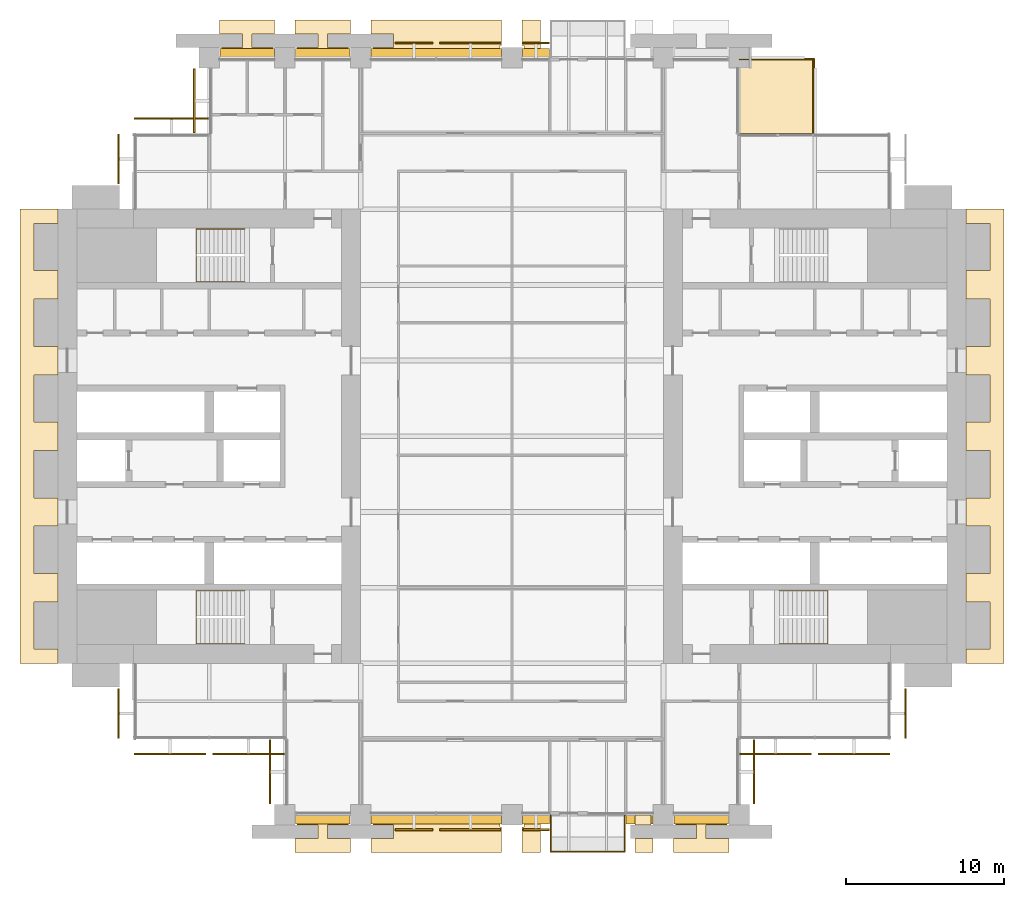
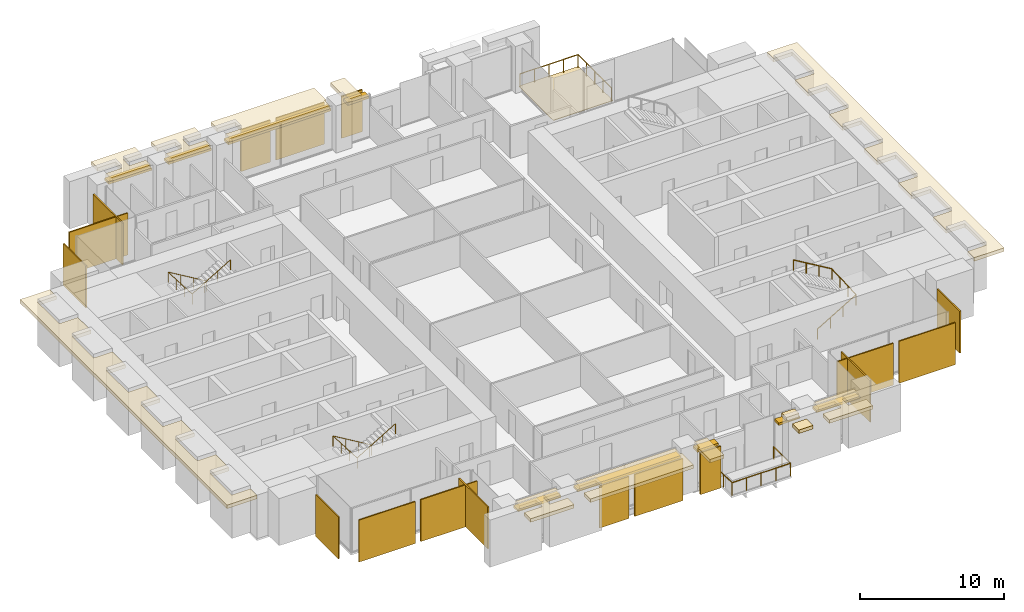
# One storey, part 14 of 15: 30 coverings, 9 shading devices, 5 railings.
"""IFC4 building model written with IfcOpenShell, lengths in metres."""

from ifc_helpers import new_model, si_unit, direction, frame, origin, origin_2d, place, context, subcontext, project, spatial, polyline, rectangle, circle, outline, extrude, material, layer, layer_set, type_object, element, save


model = new_model("IFC4")

# Units and contexts
model_context = context("Model", 3, precision=1e-05, world=origin(), true_north=direction((0.0, 1.0)))
body_context = subcontext(model_context, "Body", "Model", "MODEL_VIEW")
ifc_project = project(units=[si_unit("LENGTHUNIT", "METRE"), si_unit("AREAUNIT", "SQUARE_METRE"), si_unit("VOLUMEUNIT", "CUBIC_METRE"), si_unit("PLANEANGLEUNIT", "RADIAN"), si_unit("MASSUNIT", "GRAM", prefix="KILO")], contexts=[model_context])

# Site, building, storey
site_placement = place(None, origin())
site = spatial("IfcSite", under=ifc_project, at=site_placement, CompositionType="ELEMENT")
building_placement = place(site_placement, origin())
building = spatial("IfcBuilding", under=site, at=building_placement, Name="Baori Bourse Tower", CompositionType="ELEMENT")
storey_placement = place(building_placement, frame((0.0, 0.0, 83.0)))
storey = spatial("IfcBuildingStorey", under=building, at=storey_placement, Name="L18", CompositionType="ELEMENT", Elevation=83.0)

# Coverings
ifc_material_1 = material(Name="Pale anodised aluminium", Category="aluminium")
covering_type_1 = type_object("IfcCoveringType", Name="BD1 Pale metal band", PredefinedType="CLADDING", material=ifc_material_1)
covering_1_placement = place(storey_placement, frame((0.0, 0.0, 3.39990234375)))
element("IfcCovering", 1, at=covering_1_placement, inside=storey, type_object=covering_type_1, Name="Pale projecting band L18 1", PredefinedType="CLADDING", context=body_context, shape_type="SweptSolid", body=[
    extrude(outline(polyline([(57.60009765625, 10.5), (57.60009765625, 9.60009765625), (60.0, 9.60009765625), (60.0, 38.39990234375), (57.60009765625, 38.39990234375), (57.60009765625, 37.5), (59.10009765625, 37.5), (59.10009765625, 34.5), (57.60009765625, 34.5), (57.60009765625, 32.699951171875), (59.10009765625, 32.699951171875), (59.10009765625, 29.699951171875), (57.60009765625, 29.699951171875), (57.60009765625, 27.89990234375), (59.10009765625, 27.89990234375), (59.10009765625, 24.89990234375), (57.60009765625, 24.89990234375), (57.60009765625, 23.10009765625), (59.10009765625, 23.10009765625), (59.10009765625, 20.10009765625), (57.60009765625, 20.10009765625), (57.60009765625, 18.300048828125), (59.10009765625, 18.300048828125), (59.10009765625, 15.300048828125), (57.60009765625, 15.300048828125), (57.60009765625, 13.5), (59.10009765625, 13.5), (59.10009765625, 10.5), (57.60009765625, 10.5)])), origin(), (0.0, 0.0, 1.0), 0.300048828125),
])
covering_2_placement = place(storey_placement, frame((0.0, 0.0, 3.39990234375)))
element("IfcCovering", 2, at=covering_2_placement, inside=storey, type_object=covering_type_1, Name="Pale projecting band L18 5", PredefinedType="CLADDING", context=body_context, shape_type="SweptSolid", body=[
    extrude(outline(polyline([(29.570068359375, 48.0), (30.60009765625, 48.0), (30.60009765625, 50.39990234375), (29.449951171875, 50.39990234375), (29.449951171875, 48.77001953125), (29.570068359375, 48.77001953125), (29.570068359375, 48.0)])), origin(), (0.0, 0.0, 1.0), 0.300048828125),
])
covering_3_placement = place(storey_placement, frame((0.0, 0.0, 3.39990234375)))
element("IfcCovering", 3, at=covering_3_placement, inside=storey, type_object=covering_type_1, Name="Pale projecting band L18 6", PredefinedType="CLADDING", context=body_context, shape_type="SweptSolid", body=[
    extrude(outline(polyline([(19.969970703125, 48.0), (28.030029296875, 48.0), (28.030029296875, 48.77001953125), (28.14990234375, 48.77001953125), (28.14990234375, 50.39990234375), (19.85009765625, 50.39990234375), (19.85009765625, 49.5), (21.300048828125, 49.5), (21.300048828125, 48.64990234375), (19.969970703125, 48.64990234375), (19.969970703125, 48.0)])), origin(), (0.0, 0.0, 1.0), 0.300048828125),
])
covering_4_placement = place(storey_placement, frame((0.0, 0.0, 3.39990234375)))
element("IfcCovering", 4, at=covering_4_placement, inside=storey, type_object=covering_type_1, Name="Pale projecting band L18 7", PredefinedType="CLADDING", context=body_context, shape_type="SweptSolid", body=[
    extrude(outline(polyline([(15.169921875, 48.0), (18.429931640625, 48.0), (18.429931640625, 48.64990234375), (17.10009765625, 48.64990234375), (17.10009765625, 49.5), (18.550048828125, 49.5), (18.550048828125, 50.39990234375), (15.050048828125, 50.39990234375), (15.050048828125, 49.5), (16.5, 49.5), (16.5, 48.64990234375), (15.169921875, 48.64990234375), (15.169921875, 48.0)])), origin(), (0.0, 0.0, 1.0), 0.300048828125),
])
covering_5_placement = place(storey_placement, frame((0.0, 0.0, 3.39990234375)))
element("IfcCovering", 5, at=covering_5_placement, inside=storey, type_object=covering_type_1, Name="Pale projecting band L18 8", PredefinedType="CLADDING", context=body_context, shape_type="SweptSolid", body=[
    extrude(outline(polyline([(10.3701171875, 48.0), (13.6298828125, 48.0), (13.6298828125, 48.64990234375), (12.300048828125, 48.64990234375), (12.300048828125, 49.5), (13.75, 49.5), (13.75, 50.39990234375), (10.25, 50.39990234375), (10.25, 49.5), (11.699951171875, 49.5), (11.699951171875, 48.64990234375), (10.3701171875, 48.64990234375), (10.3701171875, 48.0)])), origin(), (0.0, 0.0, 1.0), 0.300048828125),
])
covering_6_placement = place(storey_placement, frame((0.0, 0.0, 3.39990234375)))
element("IfcCovering", 6, at=covering_6_placement, inside=storey, type_object=covering_type_1, Name="Pale projecting band L18 9", PredefinedType="CLADDING", context=body_context, shape_type="SweptSolid", body=[
    extrude(outline(polyline([(0.0, 37.5), (0.0, 38.39990234375), (-2.39990234375, 38.39990234375), (-2.39990234375, 9.60009765625), (0.0, 9.60009765625), (0.0, 10.5), (-1.5, 10.5), (-1.5, 13.5), (0.0, 13.5), (0.0, 15.300048828125), (-1.5, 15.300048828125), (-1.5, 18.300048828125), (0.0, 18.300048828125), (0.0, 20.10009765625), (-1.5, 20.10009765625), (-1.5, 23.10009765625), (0.0, 23.10009765625), (0.0, 24.89990234375), (-1.5, 24.89990234375), (-1.5, 27.89990234375), (0.0, 27.89990234375), (0.0, 29.699951171875), (-1.5, 29.699951171875), (-1.5, 32.699951171875), (0.0, 32.699951171875), (0.0, 34.5), (-1.5, 34.5), (-1.5, 37.5), (0.0, 37.5)])), origin(), (0.0, 0.0, 1.0), 0.300048828125),
])
covering_7_placement = place(storey_placement, frame((0.0, 0.0, 3.39990234375)))
element("IfcCovering", 7, at=covering_7_placement, inside=storey, type_object=covering_type_1, Name="Pale projecting band L18 10", PredefinedType="CLADDING", context=body_context, shape_type="SweptSolid", body=[
    extrude(outline(polyline([(18.429931640625, 0.0), (15.169921875, 0.0), (15.169921875, -0.64990234375), (16.5, -0.64990234375), (16.5, -1.5), (15.050048828125, -1.5), (15.050048828125, -2.39990234375), (18.550048828125, -2.39990234375), (18.550048828125, -1.5), (17.10009765625, -1.5), (17.10009765625, -0.64990234375), (18.429931640625, -0.64990234375), (18.429931640625, 0.0)])), origin(), (0.0, 0.0, 1.0), 0.300048828125),
])
covering_8_placement = place(storey_placement, frame((0.0, 0.0, 3.39990234375)))
element("IfcCovering", 8, at=covering_8_placement, inside=storey, type_object=covering_type_1, Name="Pale projecting band L18 11", PredefinedType="CLADDING", context=body_context, shape_type="SweptSolid", body=[
    extrude(outline(polyline([(28.030029296875, 0.0), (19.969970703125, 0.0), (19.969970703125, -0.64990234375), (21.300048828125, -0.64990234375), (21.300048828125, -1.5), (19.85009765625, -1.5), (19.85009765625, -2.39990234375), (28.14990234375, -2.39990234375), (28.14990234375, -0.77001953125), (28.030029296875, -0.77001953125), (28.030029296875, 0.0)])), origin(), (0.0, 0.0, 1.0), 0.300048828125),
])
covering_9_placement = place(storey_placement, frame((0.0, 0.0, 3.39990234375)))
element("IfcCovering", 9, at=covering_9_placement, inside=storey, type_object=covering_type_1, Name="Pale projecting band L18 12", PredefinedType="CLADDING", context=body_context, shape_type="SweptSolid", body=[
    extrude(outline(polyline([(30.60009765625, 0.0), (29.570068359375, 0.0), (29.570068359375, -0.77001953125), (29.449951171875, -0.77001953125), (29.449951171875, -2.39990234375), (30.60009765625, -2.39990234375), (30.60009765625, 0.0)])), origin(), (0.0, 0.0, 1.0), 0.300048828125),
])
covering_10_placement = place(storey_placement, frame((0.0, 0.0, 3.39990234375)))
element("IfcCovering", 10, at=covering_10_placement, inside=storey, type_object=covering_type_1, Name="Pale projecting band L18 13", PredefinedType="CLADDING", context=body_context, shape_type="SweptSolid", body=[
    extrude(outline(polyline([(37.75, -2.39990234375), (37.75, -1.5), (36.60009765625, -1.5), (36.60009765625, -2.39990234375), (37.75, -2.39990234375)])), origin(), (0.0, 0.0, 1.0), 0.300048828125),
])
covering_11_placement = place(storey_placement, frame((0.0, 0.0, 3.39990234375)))
element("IfcCovering", 11, at=covering_11_placement, inside=storey, type_object=covering_type_1, Name="Pale projecting band L18 14", PredefinedType="CLADDING", context=body_context, shape_type="SweptSolid", body=[
    extrude(outline(polyline([(37.6298828125, 0.0), (36.60009765625, 0.0), (36.60009765625, -0.64990234375), (37.6298828125, -0.64990234375), (37.6298828125, 0.0)])), origin(), (0.0, 0.0, 1.0), 0.300048828125),
])
covering_12_placement = place(storey_placement, frame((0.0, 0.0, 3.39990234375)))
element("IfcCovering", 12, at=covering_12_placement, inside=storey, type_object=covering_type_1, Name="Pale projecting band L18 15", PredefinedType="CLADDING", context=body_context, shape_type="SweptSolid", body=[
    extrude(outline(polyline([(42.429931640625, 0.0), (39.169921875, 0.0), (39.169921875, -0.64990234375), (40.5, -0.64990234375), (40.5, -1.5), (39.050048828125, -1.5), (39.050048828125, -2.39990234375), (42.550048828125, -2.39990234375), (42.550048828125, -1.5), (41.10009765625, -1.5), (41.10009765625, -0.64990234375), (42.429931640625, -0.64990234375), (42.429931640625, 0.0)])), origin(), (0.0, 0.0, 1.0), 0.300048828125),
])

# Shading devices
ifc_material_2 = material(Name="Concrete f'c 40 MPa", Category="concrete")
ifc_layer_1 = layer(ifc_material_2, 0.199951171875)
ifc_layer_set_1 = layer_set([ifc_layer_1], Name="BS1 Brise-soleil ledge")
shading_device_type = type_object("IfcShadingDeviceType", Name="BS1 Brise-soleil ledge", PredefinedType="USERDEFINED", material=ifc_layer_set_1)
shading_device_1_placement = place(storey_placement, frame((30.324951171875, 48.300048828125, 3.2001953125), z_axis=(0.0, 0.0, 1.0), x_axis=(-1.0, 0.0, 0.0)))
element("IfcShadingDevice", 13, at=shading_device_1_placement, inside=storey, type_object=shading_device_type, Name="Brise-soleil ledge L18 3", ObjectType="BRISE SOLEIL", PredefinedType="USERDEFINED", context=body_context, shape_type="SweptSolid", body=[
    extrude(rectangle(XDim=1.7099609375, YDim=0.60009765625, at=origin_2d()), origin(), (0.0, 0.0, 1.0), 0.199951171875),
])
shading_device_2_placement = place(storey_placement, frame((24.0, 48.300048828125, 3.2001953125), z_axis=(0.0, 0.0, 1.0), x_axis=(-1.0, 0.0, 0.0)))
element("IfcShadingDevice", 14, at=shading_device_2_placement, inside=storey, type_object=shading_device_type, Name="Brise-soleil ledge L18 4", ObjectType="BRISE SOLEIL", PredefinedType="USERDEFINED", context=body_context, shape_type="SweptSolid", body=[
    extrude(rectangle(XDim=8.260009765625, YDim=0.60009765625, at=origin_2d()), origin(), (0.0, 0.0, 1.0), 0.199951171875),
])
for number, where, z_axis, x_axis, name in (
    (15, (16.800048828125, 48.300048828125, 3.2001953125), (0.0, 0.0, 1.0), (-1.0, 0.0, 0.0), "Brise-soleil ledge L18 5"),
    (16, (12.0, 48.300048828125, 3.2001953125), (0.0, 0.0, 1.0), (-1.0, 0.0, 0.0), "Brise-soleil ledge L18 6"),
    (17, (16.800048828125, -0.300048828125, 3.2001953125), (0.0, 0.0, 1.0), (1.0, 0.0, 0.0), "Brise-soleil ledge L18 7"),
):
    element("IfcShadingDevice", number, at=place(storey_placement, frame(where, z_axis=z_axis, x_axis=x_axis)), inside=storey, type_object=shading_device_type, Name=name, ObjectType="BRISE SOLEIL", PredefinedType="USERDEFINED", context=body_context, shape_type="SweptSolid", body=[
        extrude(rectangle(XDim=3.4599609375, YDim=0.60009765625, at=origin_2d()), origin(), (0.0, 0.0, 1.0), 0.199951171875),
    ])
shading_device_3_placement = place(storey_placement, frame((24.0, -0.300048828125, 3.2001953125), z_axis=(0.0, 0.0, 1.0), x_axis=(1.0, 0.0, 0.0)))
element("IfcShadingDevice", 18, at=shading_device_3_placement, inside=storey, type_object=shading_device_type, Name="Brise-soleil ledge L18 8", ObjectType="BRISE SOLEIL", PredefinedType="USERDEFINED", context=body_context, shape_type="SweptSolid", body=[
    extrude(rectangle(XDim=8.260009765625, YDim=0.60009765625, at=origin_2d()), origin(), (0.0, 0.0, 1.0), 0.199951171875),
])
for number, where, z_axis, x_axis, name in (
    (19, (30.324951171875, -0.300048828125, 3.2001953125), (0.0, 0.0, 1.0), (1.0, 0.0, 0.0), "Brise-soleil ledge L18 9"),
    (20, (36.875, -0.300048828125, 3.2001953125), (0.0, 0.0, 1.0), (1.0, 0.0, 0.0), "Brise-soleil ledge L18 10"),
):
    element("IfcShadingDevice", number, at=place(storey_placement, frame(where, z_axis=z_axis, x_axis=x_axis)), inside=storey, type_object=shading_device_type, Name=name, ObjectType="BRISE SOLEIL", PredefinedType="USERDEFINED", context=body_context, shape_type="SweptSolid", body=[
        extrude(rectangle(XDim=1.7099609375, YDim=0.60009765625, at=origin_2d()), origin(), (0.0, 0.0, 1.0), 0.199951171875),
    ])
shading_device_4_placement = place(storey_placement, frame((40.800048828125, -0.300048828125, 3.2001953125), z_axis=(0.0, 0.0, 1.0), x_axis=(1.0, 0.0, 0.0)))
element("IfcShadingDevice", 21, at=shading_device_4_placement, inside=storey, type_object=shading_device_type, Name="Brise-soleil ledge L18 11", ObjectType="BRISE SOLEIL", PredefinedType="USERDEFINED", context=body_context, shape_type="SweptSolid", body=[
    extrude(rectangle(XDim=3.4599609375, YDim=0.60009765625, at=origin_2d()), origin(), (0.0, 0.0, 1.0), 0.199951171875),
])

# Railings
ifc_material_3 = material(Name="Powder-coated steel balustrade", Category="steel")
railing_type_1 = type_object("IfcRailingType", Name="Core stair handrail", PredefinedType="HANDRAIL", material=ifc_material_3)
railing_1_placement = place(storey_placement, frame((11.85009765625, 14.199951171875, 0.166748046875)))
element("IfcRailing", 22, at=railing_1_placement, inside=storey, type_object=railing_type_1, Name="L18 ST1 stair handrail 1", PredefinedType="HANDRAIL", context=body_context, shape_type="SweptSolid", body=[
    extrude(circle(Radius=0.02392578125, at=origin_2d()), frame((0.0, 0.0, 0.8759765625), z_axis=(-0.859308565015, 0.0, 0.511457515432), x_axis=(0.0, -1.0, 0.0)), (0.0, 0.0, 1.0), 3.58447265625),
    extrude(circle(Radius=0.02392578125, at=origin_2d()), frame((-3.080078125, 0.0, 2.708984375), z_axis=(0.0, -0.998763387249, 0.04971615724), x_axis=(1.0, 0.0, 0.0)), (0.0, 0.0, 1.0), 3.35400390625),
    extrude(circle(Radius=0.02392578125, at=origin_2d()), frame((-3.080078125, -3.349853515625, 2.8759765625), z_axis=(0.859308565015, 0.0, 0.511457515432), x_axis=(0.0, 1.0, 0.0)), (0.0, 0.0, 1.0), 3.58447265625),
    extrude(circle(Radius=0.02099609375, at=origin_2d()), origin(), (0.0, 0.0, 1.0), 0.851806640625),
    extrude(circle(Radius=0.02099609375, at=origin_2d()), frame((-1.026611328125, 0.0, 0.611083984375)), (0.0, 0.0, 1.0), 0.851806640625),
    extrude(circle(Radius=0.02099609375, at=origin_2d()), frame((-2.053466796875, 0.0, 1.22216796875)), (0.0, 0.0, 1.0), 0.851806640625),
    extrude(circle(Radius=0.02099609375, at=origin_2d()), frame((-3.080078125, 0.0, 1.833251953125)), (0.0, 0.0, 1.0), 0.851806640625),
    extrude(circle(Radius=0.02099609375, at=origin_2d()), frame((-3.080078125, -1.11669921875, 1.888916015625)), (0.0, 0.0, 1.0), 0.851806640625),
    extrude(circle(Radius=0.02099609375, at=origin_2d()), frame((-3.080078125, -2.233154296875, 1.9443359375)), (0.0, 0.0, 1.0), 0.851806640625),
    extrude(circle(Radius=0.02099609375, at=origin_2d()), frame((-3.080078125, -3.349853515625, 2.0)), (0.0, 0.0, 1.0), 0.851806640625),
    extrude(circle(Radius=0.02099609375, at=origin_2d()), frame((-2.053466796875, -3.349853515625, 2.611083984375)), (0.0, 0.0, 1.0), 0.851806640625),
    extrude(circle(Radius=0.02099609375, at=origin_2d()), frame((-1.026611328125, -3.349853515625, 3.22216796875)), (0.0, 0.0, 1.0), 0.851806640625),
    extrude(circle(Radius=0.02099609375, at=origin_2d()), frame((0.0, -3.349853515625, 3.833251953125)), (0.0, 0.0, 1.0), 0.851806640625),
])
railing_2_placement = place(storey_placement, frame((11.85009765625, 37.14990234375, 0.166748046875)))
element("IfcRailing", 23, at=railing_2_placement, inside=storey, type_object=railing_type_1, Name="L18 ST2 stair handrail 1", PredefinedType="HANDRAIL", context=body_context, shape_type="SweptSolid", body=[
    extrude(circle(Radius=0.02392578125, at=origin_2d()), frame((0.0, 0.0, 0.8759765625), z_axis=(-0.859308565015, 0.0, 0.511457515432), x_axis=(0.0, -1.0, 0.0)), (0.0, 0.0, 1.0), 3.58447265625),
    extrude(circle(Radius=0.02392578125, at=origin_2d()), frame((-3.080078125, 0.0, 2.708984375), z_axis=(0.0, -0.998763387249, 0.04971615724), x_axis=(1.0, 0.0, 0.0)), (0.0, 0.0, 1.0), 3.35400390625),
    extrude(circle(Radius=0.02392578125, at=origin_2d()), frame((-3.080078125, -3.349853515625, 2.8759765625), z_axis=(0.859308565015, 0.0, 0.511457515432), x_axis=(0.0, 1.0, 0.0)), (0.0, 0.0, 1.0), 3.58447265625),
    extrude(circle(Radius=0.02099609375, at=origin_2d()), origin(), (0.0, 0.0, 1.0), 0.851806640625),
    extrude(circle(Radius=0.02099609375, at=origin_2d()), frame((-1.026611328125, 0.0, 0.611083984375)), (0.0, 0.0, 1.0), 0.851806640625),
    extrude(circle(Radius=0.02099609375, at=origin_2d()), frame((-2.053466796875, 0.0, 1.22216796875)), (0.0, 0.0, 1.0), 0.851806640625),
    extrude(circle(Radius=0.02099609375, at=origin_2d()), frame((-3.080078125, 0.0, 1.833251953125)), (0.0, 0.0, 1.0), 0.851806640625),
    extrude(circle(Radius=0.02099609375, at=origin_2d()), frame((-3.080078125, -1.11669921875, 1.888916015625)), (0.0, 0.0, 1.0), 0.851806640625),
    extrude(circle(Radius=0.02099609375, at=origin_2d()), frame((-3.080078125, -2.233154296875, 1.9443359375)), (0.0, 0.0, 1.0), 0.851806640625),
    extrude(circle(Radius=0.02099609375, at=origin_2d()), frame((-3.080078125, -3.349853515625, 2.0)), (0.0, 0.0, 1.0), 0.851806640625),
    extrude(circle(Radius=0.02099609375, at=origin_2d()), frame((-2.053466796875, -3.349853515625, 2.611083984375)), (0.0, 0.0, 1.0), 0.851806640625),
    extrude(circle(Radius=0.02099609375, at=origin_2d()), frame((-1.026611328125, -3.349853515625, 3.22216796875)), (0.0, 0.0, 1.0), 0.851806640625),
    extrude(circle(Radius=0.02099609375, at=origin_2d()), frame((0.0, -3.349853515625, 3.833251953125)), (0.0, 0.0, 1.0), 0.851806640625),
])
railing_3_placement = place(storey_placement, frame((45.75, 10.85009765625, 0.166748046875)))
element("IfcRailing", 24, at=railing_3_placement, inside=storey, type_object=railing_type_1, Name="L18 ST3 stair handrail 1", PredefinedType="HANDRAIL", context=body_context, shape_type="SweptSolid", body=[
    extrude(circle(Radius=0.02392578125, at=origin_2d()), frame((0.0, 0.0, 0.8759765625), z_axis=(0.859308565015, 0.0, 0.511457515432), x_axis=(0.0, 1.0, 0.0)), (0.0, 0.0, 1.0), 3.58447265625),
    extrude(circle(Radius=0.02392578125, at=origin_2d()), frame((3.080078125, 0.0, 2.708984375), z_axis=(0.0, 0.998763387249, 0.04971615724), x_axis=(-1.0, 0.0, 0.0)), (0.0, 0.0, 1.0), 3.35400390625),
    extrude(circle(Radius=0.02392578125, at=origin_2d()), frame((3.080078125, 3.349853515625, 2.8759765625), z_axis=(-0.859308565015, 0.0, 0.511457515432), x_axis=(0.0, -1.0, 0.0)), (0.0, 0.0, 1.0), 3.58447265625),
    extrude(circle(Radius=0.02099609375, at=origin_2d()), origin(), (0.0, 0.0, 1.0), 0.851806640625),
    extrude(circle(Radius=0.02099609375, at=origin_2d()), frame((1.026611328125, 0.0, 0.611083984375)), (0.0, 0.0, 1.0), 0.851806640625),
    extrude(circle(Radius=0.02099609375, at=origin_2d()), frame((2.053466796875, 0.0, 1.22216796875)), (0.0, 0.0, 1.0), 0.851806640625),
    extrude(circle(Radius=0.02099609375, at=origin_2d()), frame((3.080078125, 0.0, 1.833251953125)), (0.0, 0.0, 1.0), 0.851806640625),
    extrude(circle(Radius=0.02099609375, at=origin_2d()), frame((3.080078125, 1.11669921875, 1.888916015625)), (0.0, 0.0, 1.0), 0.851806640625),
    extrude(circle(Radius=0.02099609375, at=origin_2d()), frame((3.080078125, 2.233154296875, 1.9443359375)), (0.0, 0.0, 1.0), 0.851806640625),
    extrude(circle(Radius=0.02099609375, at=origin_2d()), frame((3.080078125, 3.349853515625, 2.0)), (0.0, 0.0, 1.0), 0.851806640625),
    extrude(circle(Radius=0.02099609375, at=origin_2d()), frame((2.053466796875, 3.349853515625, 2.611083984375)), (0.0, 0.0, 1.0), 0.851806640625),
    extrude(circle(Radius=0.02099609375, at=origin_2d()), frame((1.026611328125, 3.349853515625, 3.22216796875)), (0.0, 0.0, 1.0), 0.851806640625),
    extrude(circle(Radius=0.02099609375, at=origin_2d()), frame((0.0, 3.349853515625, 3.833251953125)), (0.0, 0.0, 1.0), 0.851806640625),
])
ifc_material_4 = material(Name="Stainless steel", Category="steel")
railing_type_2 = type_object("IfcRailingType", Name="GD1 Guard", PredefinedType="GUARDRAIL", material=ifc_material_4)
railing_4_placement = place(storey_placement, frame((43.22998046875, 47.89990234375, 0.0400390625)))
element("IfcRailing", 25, at=railing_4_placement, inside=storey, type_object=railing_type_2, Name="Guard terrace NE L18 1", PredefinedType="GUARDRAIL", context=body_context, shape_type="SweptSolid", body=[
    extrude(circle(Radius=0.02392578125, at=origin_2d()), frame((0.0, 0.0, 1.076171875), z_axis=(1.0, 0.0, 0.0), x_axis=(0.0, 1.0, 0.0)), (0.0, 0.0, 1.0), 4.669921875),
    extrude(circle(Radius=0.02392578125, at=origin_2d()), frame((4.669921875, 0.0, 1.076171875), z_axis=(0.0, -1.0, 0.0), x_axis=(1.0, 0.0, 0.0)), (0.0, 0.0, 1.0), 4.669921875),
    extrude(circle(Radius=0.02099609375, at=origin_2d()), origin(), (0.0, 0.0, 1.0), 1.052001953125),
    extrude(circle(Radius=0.02099609375, at=origin_2d()), frame((1.16748046875, 0.0, 0.0)), (0.0, 0.0, 1.0), 1.052001953125),
    extrude(circle(Radius=0.02099609375, at=origin_2d()), frame((2.3349609375, 0.0, 0.0)), (0.0, 0.0, 1.0), 1.052001953125),
    extrude(circle(Radius=0.02099609375, at=origin_2d()), frame((3.50244140625, 0.0, 0.0)), (0.0, 0.0, 1.0), 1.052001953125),
    extrude(circle(Radius=0.02099609375, at=origin_2d()), frame((4.669921875, 0.0, 0.0)), (0.0, 0.0, 1.0), 1.052001953125),
    extrude(circle(Radius=0.02099609375, at=origin_2d()), frame((4.669921875, -1.16748046875, 0.0)), (0.0, 0.0, 1.0), 1.052001953125),
    extrude(circle(Radius=0.02099609375, at=origin_2d()), frame((4.669921875, -2.3349609375, 0.0)), (0.0, 0.0, 1.0), 1.052001953125),
    extrude(circle(Radius=0.02099609375, at=origin_2d()), frame((4.669921875, -3.50244140625, 0.0)), (0.0, 0.0, 1.0), 1.052001953125),
    extrude(circle(Radius=0.02099609375, at=origin_2d()), frame((4.669921875, -4.669921875, 0.0)), (0.0, 0.0, 1.0), 1.052001953125),
])
railing_5_placement = place(storey_placement, frame((31.25, -0.030029296875, 0.0)))
element("IfcRailing", 26, at=railing_5_placement, inside=storey, type_object=railing_type_2, Name="Guard balcony S L18 2", PredefinedType="GUARDRAIL", context=body_context, shape_type="SweptSolid", body=[
    extrude(circle(Radius=0.02392578125, at=origin_2d()), frame((0.0, 0.0, 1.076171875), z_axis=(0.0, -1.0, 0.0), x_axis=(1.0, 0.0, 0.0)), (0.0, 0.0, 1.0), 2.320068359375),
    extrude(circle(Radius=0.02392578125, at=origin_2d()), frame((0.0, -2.320068359375, 1.076171875), z_axis=(1.0, 0.0, 0.0), x_axis=(0.0, 1.0, 0.0)), (0.0, 0.0, 1.0), 4.699951171875),
    extrude(circle(Radius=0.02392578125, at=origin_2d()), frame((4.699951171875, -2.320068359375, 1.076171875), z_axis=(0.0, 1.0, 0.0), x_axis=(-1.0, 0.0, 0.0)), (0.0, 0.0, 1.0), 2.320068359375),
    extrude(circle(Radius=0.02099609375, at=origin_2d()), origin(), (0.0, 0.0, 1.0), 1.052001953125),
    extrude(circle(Radius=0.02099609375, at=origin_2d()), frame((0.0, -1.16015625, 0.0)), (0.0, 0.0, 1.0), 1.052001953125),
    extrude(circle(Radius=0.02099609375, at=origin_2d()), frame((0.0, -2.320068359375, 0.0)), (0.0, 0.0, 1.0), 1.052001953125),
    extrude(circle(Radius=0.02099609375, at=origin_2d()), frame((1.175048828125, -2.320068359375, 0.0)), (0.0, 0.0, 1.0), 1.052001953125),
    extrude(circle(Radius=0.02099609375, at=origin_2d()), frame((2.35009765625, -2.320068359375, 0.0)), (0.0, 0.0, 1.0), 1.052001953125),
    extrude(circle(Radius=0.02099609375, at=origin_2d()), frame((3.52490234375, -2.320068359375, 0.0)), (0.0, 0.0, 1.0), 1.052001953125),
    extrude(circle(Radius=0.02099609375, at=origin_2d()), frame((4.699951171875, -2.320068359375, 0.0)), (0.0, 0.0, 1.0), 1.052001953125),
    extrude(circle(Radius=0.02099609375, at=origin_2d()), frame((4.699951171875, -1.16015625, 0.0)), (0.0, 0.0, 1.0), 1.052001953125),
    extrude(circle(Radius=0.02099609375, at=origin_2d()), frame((4.699951171875, 0.0, 0.0)), (0.0, 0.0, 1.0), 1.052001953125),
])

# Coverings
ifc_material_5 = material(Name="Pale anodised aluminium", Category="aluminium")
ifc_layer_2 = layer(ifc_material_5, 0.10009765625)
ifc_layer_set_2 = layer_set([ifc_layer_2], Name="OS3 Outer skin screen panel")
covering_type_2 = type_object("IfcCoveringType", Name="OS3 Outer skin screen panel", PredefinedType="CLADDING", material=ifc_layer_set_2)
covering_13_placement = place(storey_placement, frame((0.0, 0.0, -0.159912109375)))
element("IfcCovering", 27, at=covering_13_placement, inside=storey, type_object=covering_type_2, Name="Outer skin screen L18 2", PredefinedType="CLADDING", context=body_context, shape_type="SweptSolid", body=[
    extrude(outline(polyline([(29.5, 48.89990234375), (31.14990234375, 48.89990234375), (31.14990234375, 49.0), (29.5, 49.0), (29.5, 48.89990234375)])), origin(), (0.0, 0.0, 1.0), 3.559814453125),
])
covering_14_placement = place(storey_placement, frame((0.0, 0.0, -0.159912109375)))
element("IfcCovering", 28, at=covering_14_placement, inside=storey, type_object=covering_type_2, Name="Outer skin screen L18 3", PredefinedType="CLADDING", context=body_context, shape_type="SweptSolid", body=[
    extrude(outline(polyline([(24.22509765625, 48.89990234375), (28.10009765625, 48.89990234375), (28.10009765625, 49.0), (24.22509765625, 49.0), (24.22509765625, 48.89990234375)])), origin(), (0.0, 0.0, 1.0), 3.559814453125),
])
covering_15_placement = place(storey_placement, frame((0.0, 0.0, -0.159912109375)))
element("IfcCovering", 29, at=covering_15_placement, inside=storey, type_object=covering_type_2, Name="Outer skin screen L18 4", PredefinedType="CLADDING", context=body_context, shape_type="SweptSolid", body=[
    extrude(outline(polyline([(21.39990234375, 48.89990234375), (23.77490234375, 48.89990234375), (23.77490234375, 49.0), (21.39990234375, 49.0), (21.39990234375, 48.89990234375)])), origin(), (0.0, 0.0, 1.0), 3.559814453125),
])
covering_16_placement = place(storey_placement, frame((0.0, 0.0, -0.159912109375)))
element("IfcCovering", 30, at=covering_16_placement, inside=storey, type_object=covering_type_2, Name="Outer skin screen L18 5", PredefinedType="CLADDING", context=body_context, shape_type="SweptSolid", body=[
    extrude(outline(polyline([(8.699951171875, 43.25), (8.699951171875, 47.300048828125), (8.60009765625, 47.300048828125), (8.60009765625, 43.25), (8.699951171875, 43.25)])), origin(), (0.0, 0.0, 1.0), 3.559814453125),
])
covering_17_placement = place(storey_placement, frame((0.0, 0.0, -0.159912109375)))
element("IfcCovering", 31, at=covering_17_placement, inside=storey, type_object=covering_type_2, Name="Outer skin screen L18 6", PredefinedType="CLADDING", context=body_context, shape_type="SweptSolid", body=[
    extrude(outline(polyline([(4.85009765625, 44.10009765625), (9.550048828125, 44.10009765625), (9.550048828125, 44.199951171875), (4.85009765625, 44.199951171875), (4.85009765625, 44.10009765625)])), origin(), (0.0, 0.0, 1.0), 3.559814453125),
])
covering_18_placement = place(storey_placement, frame((0.0, 0.0, -0.159912109375)))
element("IfcCovering", 32, at=covering_18_placement, inside=storey, type_object=covering_type_2, Name="Outer skin screen L18 7", PredefinedType="CLADDING", context=body_context, shape_type="SweptSolid", body=[
    extrude(outline(polyline([(3.89990234375, 40.0), (3.89990234375, 43.14990234375), (3.800048828125, 43.14990234375), (3.800048828125, 40.0), (3.89990234375, 40.0), (3.89990234375, 40.0)])), origin(), (0.0, 0.0, 1.0), 3.559814453125),
])
covering_19_placement = place(storey_placement, frame((0.0, 0.0, -0.159912109375)))
element("IfcCovering", 33, at=covering_19_placement, inside=storey, type_object=covering_type_2, Name="Outer skin screen L18 8", PredefinedType="CLADDING", context=body_context, shape_type="SweptSolid", body=[
    extrude(outline(polyline([(3.89990234375, 4.85009765625), (3.89990234375, 8.0), (3.89990234375, 8.0), (3.800048828125, 8.0), (3.800048828125, 4.85009765625), (3.89990234375, 4.85009765625)])), origin(), (0.0, 0.0, 1.0), 3.559814453125),
])
covering_20_placement = place(storey_placement, frame((0.0, 0.0, -0.159912109375)))
element("IfcCovering", 34, at=covering_20_placement, inside=storey, type_object=covering_type_2, Name="Outer skin screen L18 9", PredefinedType="CLADDING", context=body_context, shape_type="SweptSolid", body=[
    extrude(outline(polyline([(9.375, 3.89990234375), (4.85009765625, 3.89990234375), (4.85009765625, 3.800048828125), (9.375, 3.800048828125), (9.375, 3.89990234375)])), origin(), (0.0, 0.0, 1.0), 3.559814453125),
])
covering_21_placement = place(storey_placement, frame((0.0, 0.0, -0.159912109375)))
element("IfcCovering", 35, at=covering_21_placement, inside=storey, type_object=covering_type_2, Name="Outer skin screen L18 10", PredefinedType="CLADDING", context=body_context, shape_type="SweptSolid", body=[
    extrude(outline(polyline([(14.35009765625, 3.89990234375), (9.824951171875, 3.89990234375), (9.824951171875, 3.800048828125), (14.35009765625, 3.800048828125), (14.35009765625, 3.89990234375)])), origin(), (0.0, 0.0, 1.0), 3.559814453125),
])
covering_22_placement = place(storey_placement, frame((0.0, 0.0, -0.159912109375)))
element("IfcCovering", 36, at=covering_22_placement, inside=storey, type_object=covering_type_2, Name="Outer skin screen L18 11", PredefinedType="CLADDING", context=body_context, shape_type="SweptSolid", body=[
    extrude(outline(polyline([(13.5, 0.699951171875), (13.5, 4.75), (13.39990234375, 4.75), (13.39990234375, 0.699951171875), (13.5, 0.699951171875)])), origin(), (0.0, 0.0, 1.0), 3.559814453125),
])
covering_23_placement = place(storey_placement, frame((0.0, 0.0, -0.159912109375)))
element("IfcCovering", 37, at=covering_23_placement, inside=storey, type_object=covering_type_2, Name="Outer skin screen L18 12", PredefinedType="CLADDING", context=body_context, shape_type="SweptSolid", body=[
    extrude(outline(polyline([(23.77490234375, -0.89990234375), (21.39990234375, -0.89990234375), (21.39990234375, -1.0), (23.77490234375, -1.0), (23.77490234375, -0.89990234375)])), origin(), (0.0, 0.0, 1.0), 3.559814453125),
])
covering_24_placement = place(storey_placement, frame((0.0, 0.0, -0.159912109375)))
element("IfcCovering", 38, at=covering_24_placement, inside=storey, type_object=covering_type_2, Name="Outer skin screen L18 13", PredefinedType="CLADDING", context=body_context, shape_type="SweptSolid", body=[
    extrude(outline(polyline([(28.10009765625, -0.89990234375), (24.22509765625, -0.89990234375), (24.22509765625, -1.0), (28.10009765625, -1.0), (28.10009765625, -0.89990234375)])), origin(), (0.0, 0.0, 1.0), 3.559814453125),
])
covering_25_placement = place(storey_placement, frame((0.0, 0.0, -0.159912109375)))
element("IfcCovering", 39, at=covering_25_placement, inside=storey, type_object=covering_type_2, Name="Outer skin screen L18 14", PredefinedType="CLADDING", context=body_context, shape_type="SweptSolid", body=[
    extrude(outline(polyline([(31.14990234375, -0.89990234375), (29.5, -0.89990234375), (29.5, -1.0), (31.14990234375, -1.0), (31.14990234375, -0.89990234375)])), origin(), (0.0, 0.0, 1.0), 3.559814453125),
])
covering_26_placement = place(storey_placement, frame((0.0, 0.0, -0.159912109375)))
element("IfcCovering", 40, at=covering_26_placement, inside=storey, type_object=covering_type_2, Name="Outer skin screen L18 15", PredefinedType="CLADDING", context=body_context, shape_type="SweptSolid", body=[
    extrude(outline(polyline([(44.10009765625, 4.75), (44.10009765625, 0.699951171875), (44.199951171875, 0.699951171875), (44.199951171875, 4.75), (44.10009765625, 4.75)])), origin(), (0.0, 0.0, 1.0), 3.559814453125),
])
covering_27_placement = place(storey_placement, frame((0.0, 0.0, -0.159912109375)))
element("IfcCovering", 41, at=covering_27_placement, inside=storey, type_object=covering_type_2, Name="Outer skin screen L18 16", PredefinedType="CLADDING", context=body_context, shape_type="SweptSolid", body=[
    extrude(outline(polyline([(47.77490234375, 3.89990234375), (43.25, 3.89990234375), (43.25, 3.800048828125), (47.77490234375, 3.800048828125), (47.77490234375, 3.89990234375)])), origin(), (0.0, 0.0, 1.0), 3.559814453125),
])
covering_28_placement = place(storey_placement, frame((0.0, 0.0, -0.159912109375)))
element("IfcCovering", 42, at=covering_28_placement, inside=storey, type_object=covering_type_2, Name="Outer skin screen L18 17", PredefinedType="CLADDING", context=body_context, shape_type="SweptSolid", body=[
    extrude(outline(polyline([(52.75, 3.89990234375), (48.22509765625, 3.89990234375), (48.22509765625, 3.800048828125), (52.75, 3.800048828125), (52.75, 3.89990234375)])), origin(), (0.0, 0.0, 1.0), 3.559814453125),
])
covering_29_placement = place(storey_placement, frame((0.0, 0.0, -0.159912109375)))
element("IfcCovering", 43, at=covering_29_placement, inside=storey, type_object=covering_type_2, Name="Outer skin screen L18 18", PredefinedType="CLADDING", context=body_context, shape_type="SweptSolid", body=[
    extrude(outline(polyline([(53.699951171875, 8.0), (53.699951171875, 4.85009765625), (53.800048828125, 4.85009765625), (53.800048828125, 8.0), (53.699951171875, 8.0)])), origin(), (0.0, 0.0, 1.0), 3.559814453125),
])
ifc_material_6 = material(Name="Granite paving", Category="masonry")
ifc_layer_3 = layer(ifc_material_6, 0.0400390625)
ifc_layer_set_3 = layer_set([ifc_layer_3], Name="PV1 Deck paving")
covering_type_3 = type_object("IfcCoveringType", Name="PV1 Deck paving", PredefinedType="FLOORING", material=ifc_layer_set_3)
covering_30_placement = place(storey_placement, origin())
element("IfcCovering", 44, at=covering_30_placement, inside=storey, type_object=covering_type_3, Name="Terrace paving L18 1", PredefinedType="FLOORING", context=body_context, shape_type="SweptSolid", body=[
    extrude(outline(polyline([(43.199951171875, 43.199951171875), (48.0, 43.199951171875), (48.0, 48.0), (43.199951171875, 48.0), (43.199951171875, 43.199951171875)])), origin(), (0.0, 0.0, 1.0), 0.0400390625),
])

save(model, "model.ifc")
